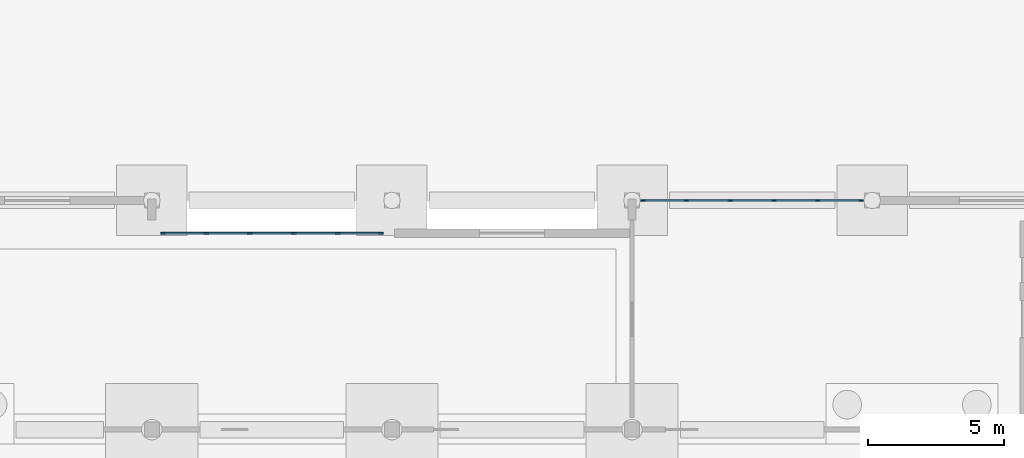
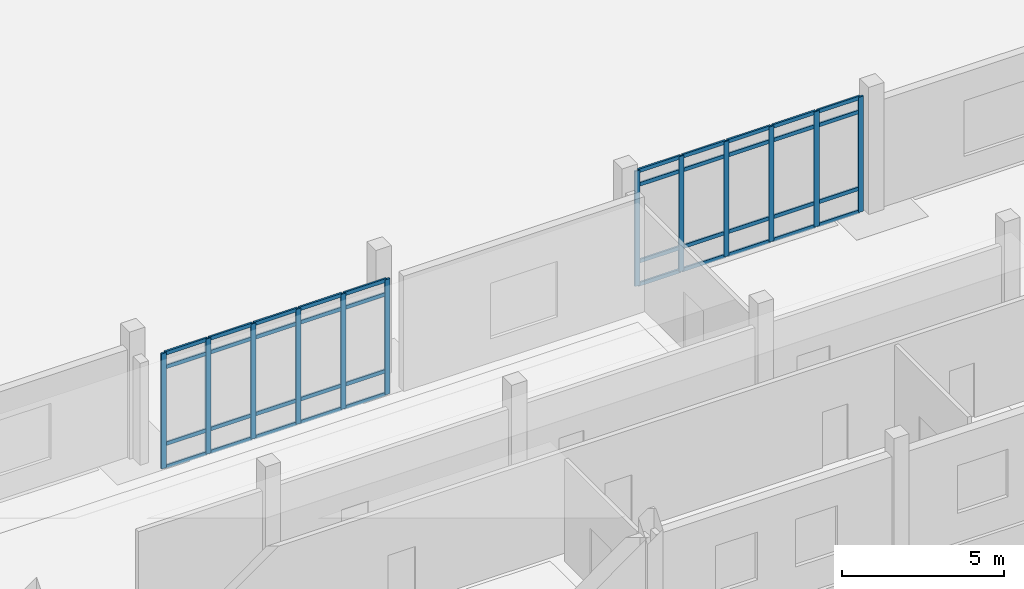
# One storey, part 13 of 72: 52 members, 2 elements without a shape of their own.
"""IFC4 building model written with IfcOpenShell, lengths in metres."""

from ifc_helpers import new_model, si_unit, direction, frame, origin, origin_2d, place, context, subcontext, project, spatial, rectangle, extrude, material, material_profile, profile_set, type_object, element, aggregate, save


model = new_model("IFC4")

# Units and contexts
model_context = context("Model", 3, precision=1e-05, world=origin(), true_north=direction((0.0, 1.0)))
body_context = subcontext(model_context, "Body", "Model", "MODEL_VIEW")
ifc_project = project(units=[si_unit("LENGTHUNIT", "METRE"), si_unit("AREAUNIT", "SQUARE_METRE"), si_unit("VOLUMEUNIT", "CUBIC_METRE"), si_unit("PLANEANGLEUNIT", "RADIAN"), si_unit("MASSUNIT", "GRAM", prefix="KILO")], contexts=[model_context])

# Site, building, storey
site_placement = place(None, origin())
site = spatial("IfcSite", under=ifc_project, at=site_placement, CompositionType="ELEMENT")
building_placement = place(site_placement, origin())
building = spatial("IfcBuilding", under=site, at=building_placement, Name="Cinderway Yard Community Centre", CompositionType="ELEMENT")
storey_placement = place(building_placement, origin())
storey = spatial("IfcBuildingStorey", under=building, at=storey_placement, Name="L00", CompositionType="ELEMENT", Elevation=0.0)

# Curtain wall, members
ifc_material = material(Name="Aluminium 6063-T6", Category="aluminium")
curtain_wall_type = type_object("IfcCurtainWallType", Name="ENV-CW-TYPE-25", PredefinedType="USERDEFINED", material=ifc_material)
curtain_wall_1_placement = place(storey_placement, origin())
curtain_wall_1 = element("IfcCurtainWall", 1, at=curtain_wall_1_placement, inside=storey, type_object=curtain_wall_type, Name="Dining Courtyard Curtain Wall ENV-CW-L00-HS-0091", ObjectType="GLAZED CURTAIN WALL", PredefinedType="USERDEFINED")
ifc_material_profile_1 = material_profile(ifc_material, rectangle(XDim=0.06494140625, YDim=0.179931640625, at=origin_2d()), Name="Aluminium 6063-T6")
ifc_profile_set_1 = profile_set([ifc_material_profile_1], Name="Aluminium 6063-T6")
member_type_1 = type_object("IfcMemberType", Name="ENV-CW-MULL-180", PredefinedType="MULLION", material=ifc_profile_set_1)
member_1_placement = place(storey_placement, frame((75.610107421875, 21.60009765625, 0.0), z_axis=(0.0, 0.0, 1.0), x_axis=(0.0, 1.0, 0.0)))
member_1 = element("IfcMember", 2, at=member_1_placement, type_object=member_type_1, Name="CW-25 mullion 1", PredefinedType="MULLION", context=body_context, shape_type="SweptSolid", body=[
    extrude(rectangle(XDim=0.06494140625, YDim=0.179931640625, at=origin_2d()), origin(), (0.0, 0.0, 1.0), 4.35009765625),
])
member_2_placement = place(storey_placement, frame((77.18798828125, 21.60009765625, 0.0), z_axis=(0.0, 0.0, 1.0), x_axis=(0.0, 1.0, 0.0)))
member_2 = element("IfcMember", 3, at=member_2_placement, type_object=member_type_1, Name="CW-25 mullion 2", PredefinedType="MULLION", context=body_context, shape_type="SweptSolid", body=[
    extrude(rectangle(XDim=0.06494140625, YDim=0.179931640625, at=origin_2d()), origin(), (0.0, 0.0, 1.0), 4.35009765625),
])
member_3_placement = place(storey_placement, frame((78.7958984375, 21.60009765625, 0.0), z_axis=(0.0, 0.0, 1.0), x_axis=(0.0, 1.0, 0.0)))
member_3 = element("IfcMember", 4, at=member_3_placement, type_object=member_type_1, Name="CW-25 mullion 3", PredefinedType="MULLION", context=body_context, shape_type="SweptSolid", body=[
    extrude(rectangle(XDim=0.06494140625, YDim=0.179931640625, at=origin_2d()), origin(), (0.0, 0.0, 1.0), 4.35009765625),
])
member_4_placement = place(storey_placement, frame((80.404052734375, 21.60009765625, 0.0), z_axis=(0.0, 0.0, 1.0), x_axis=(0.0, 1.0, 0.0)))
member_4 = element("IfcMember", 5, at=member_4_placement, type_object=member_type_1, Name="CW-25 mullion 4", PredefinedType="MULLION", context=body_context, shape_type="SweptSolid", body=[
    extrude(rectangle(XDim=0.06494140625, YDim=0.179931640625, at=origin_2d()), origin(), (0.0, 0.0, 1.0), 4.35009765625),
])
member_5_placement = place(storey_placement, frame((82.011962890625, 21.60009765625, 0.0), z_axis=(0.0, 0.0, 1.0), x_axis=(0.0, 1.0, 0.0)))
member_5 = element("IfcMember", 6, at=member_5_placement, type_object=member_type_1, Name="CW-25 mullion 5", PredefinedType="MULLION", context=body_context, shape_type="SweptSolid", body=[
    extrude(rectangle(XDim=0.06494140625, YDim=0.179931640625, at=origin_2d()), origin(), (0.0, 0.0, 1.0), 4.35009765625),
])
member_6_placement = place(storey_placement, frame((83.590087890625, 21.60009765625, 0.0), z_axis=(0.0, 0.0, 1.0), x_axis=(0.0, 1.0, 0.0)))
member_6 = element("IfcMember", 7, at=member_6_placement, type_object=member_type_1, Name="CW-25 mullion 6", PredefinedType="MULLION", context=body_context, shape_type="SweptSolid", body=[
    extrude(rectangle(XDim=0.06494140625, YDim=0.179931640625, at=origin_2d()), origin(), (0.0, 0.0, 1.0), 4.35009765625),
])

curtain_wall_2_placement = place(storey_placement, origin())
curtain_wall_2 = element("IfcCurtainWall", 8, at=curtain_wall_2_placement, inside=storey, type_object=curtain_wall_type, Name="Dining Courtyard Curtain Wall ENV-CW-L00-HS-0092", ObjectType="GLAZED CURTAIN WALL", PredefinedType="USERDEFINED")
member_7_placement = place(storey_placement, frame((93.2099609375, 22.800048828125, 0.0), z_axis=(0.0, 0.0, 1.0), x_axis=(0.0, 1.0, 0.0)))
member_7 = element("IfcMember", 9, at=member_7_placement, type_object=member_type_1, Name="CW-25 mullion 1", PredefinedType="MULLION", context=body_context, shape_type="SweptSolid", body=[
    extrude(rectangle(XDim=0.06494140625, YDim=0.179931640625, at=origin_2d()), origin(), (0.0, 0.0, 1.0), 4.35009765625),
])
member_8_placement = place(storey_placement, frame((94.7880859375, 22.800048828125, 0.0), z_axis=(0.0, 0.0, 1.0), x_axis=(0.0, 1.0, 0.0)))
member_8 = element("IfcMember", 10, at=member_8_placement, type_object=member_type_1, Name="CW-25 mullion 2", PredefinedType="MULLION", context=body_context, shape_type="SweptSolid", body=[
    extrude(rectangle(XDim=0.06494140625, YDim=0.179931640625, at=origin_2d()), origin(), (0.0, 0.0, 1.0), 4.35009765625),
])
member_9_placement = place(storey_placement, frame((96.39599609375, 22.800048828125, 0.0), z_axis=(0.0, 0.0, 1.0), x_axis=(0.0, 1.0, 0.0)))
member_9 = element("IfcMember", 11, at=member_9_placement, type_object=member_type_1, Name="CW-25 mullion 3", PredefinedType="MULLION", context=body_context, shape_type="SweptSolid", body=[
    extrude(rectangle(XDim=0.06494140625, YDim=0.179931640625, at=origin_2d()), origin(), (0.0, 0.0, 1.0), 4.35009765625),
])
member_10_placement = place(storey_placement, frame((98.00390625, 22.800048828125, 0.0), z_axis=(0.0, 0.0, 1.0), x_axis=(0.0, 1.0, 0.0)))
member_10 = element("IfcMember", 12, at=member_10_placement, type_object=member_type_1, Name="CW-25 mullion 4", PredefinedType="MULLION", context=body_context, shape_type="SweptSolid", body=[
    extrude(rectangle(XDim=0.06494140625, YDim=0.179931640625, at=origin_2d()), origin(), (0.0, 0.0, 1.0), 4.35009765625),
])
member_11_placement = place(storey_placement, frame((99.612060546875, 22.800048828125, 0.0), z_axis=(0.0, 0.0, 1.0), x_axis=(0.0, 1.0, 0.0)))
member_11 = element("IfcMember", 13, at=member_11_placement, type_object=member_type_1, Name="CW-25 mullion 5", PredefinedType="MULLION", context=body_context, shape_type="SweptSolid", body=[
    extrude(rectangle(XDim=0.06494140625, YDim=0.179931640625, at=origin_2d()), origin(), (0.0, 0.0, 1.0), 4.35009765625),
])
member_12_placement = place(storey_placement, frame((101.18994140625, 22.800048828125, 0.0), z_axis=(0.0, 0.0, 1.0), x_axis=(0.0, 1.0, 0.0)))
member_12 = element("IfcMember", 14, at=member_12_placement, type_object=member_type_1, Name="CW-25 mullion 6", PredefinedType="MULLION", context=body_context, shape_type="SweptSolid", body=[
    extrude(rectangle(XDim=0.06494140625, YDim=0.179931640625, at=origin_2d()), origin(), (0.0, 0.0, 1.0), 4.35009765625),
])

# Member
ifc_material_profile_2 = material_profile(ifc_material, rectangle(XDim=0.06494140625, YDim=0.139892578125, at=origin_2d()), Name="Aluminium 6063-T6")
ifc_profile_set_2 = profile_set([ifc_material_profile_2], Name="Aluminium 6063-T6")
member_type_2 = type_object("IfcMemberType", Name="ENV-CW-TRAN-140", PredefinedType="USERDEFINED", material=ifc_profile_set_2)
member_13_placement = place(storey_placement, frame((75.639892578125, 21.60009765625, 0.030029296875), z_axis=(1.0, 0.0, 0.0), x_axis=(0.0, 1.0, 0.0)))
member_13 = element("IfcMember", 15, at=member_13_placement, type_object=member_type_2, Name="CW-25 transom 1.1", ObjectType="TRANSOM", PredefinedType="USERDEFINED", context=body_context, shape_type="SweptSolid", body=[
    extrude(rectangle(XDim=0.06494140625, YDim=0.139892578125, at=origin_2d()), origin(), (0.0, 0.0, 1.0), 1.51806640625),
])

member_14_placement = place(storey_placement, frame((75.639892578125, 21.60009765625, 0.89990234375), z_axis=(1.0, 0.0, 0.0), x_axis=(0.0, 1.0, 0.0)))
member_14 = element("IfcMember", 16, at=member_14_placement, type_object=member_type_2, Name="CW-25 transom 1.2", ObjectType="TRANSOM", PredefinedType="USERDEFINED", context=body_context, shape_type="SweptSolid", body=[
    extrude(rectangle(XDim=0.06494140625, YDim=0.139892578125, at=origin_2d()), origin(), (0.0, 0.0, 1.0), 1.51806640625),
])

member_15_placement = place(storey_placement, frame((75.639892578125, 21.60009765625, 3.800048828125), z_axis=(1.0, 0.0, 0.0), x_axis=(0.0, 1.0, 0.0)))
member_15 = element("IfcMember", 17, at=member_15_placement, type_object=member_type_2, Name="CW-25 transom 1.3", ObjectType="TRANSOM", PredefinedType="USERDEFINED", context=body_context, shape_type="SweptSolid", body=[
    extrude(rectangle(XDim=0.06494140625, YDim=0.139892578125, at=origin_2d()), origin(), (0.0, 0.0, 1.0), 1.51806640625),
])

member_16_placement = place(storey_placement, frame((75.639892578125, 21.60009765625, 4.320068359375), z_axis=(1.0, 0.0, 0.0), x_axis=(0.0, 1.0, 0.0)))
member_16 = element("IfcMember", 18, at=member_16_placement, type_object=member_type_2, Name="CW-25 transom 1.4", ObjectType="TRANSOM", PredefinedType="USERDEFINED", context=body_context, shape_type="SweptSolid", body=[
    extrude(rectangle(XDim=0.06494140625, YDim=0.139892578125, at=origin_2d()), origin(), (0.0, 0.0, 1.0), 1.51806640625),
])

member_17_placement = place(storey_placement, frame((77.218017578125, 21.60009765625, 0.030029296875), z_axis=(1.0, 0.0, 0.0), x_axis=(0.0, 1.0, 0.0)))
member_17 = element("IfcMember", 19, at=member_17_placement, type_object=member_type_2, Name="CW-25 transom 2.1", ObjectType="TRANSOM", PredefinedType="USERDEFINED", context=body_context, shape_type="SweptSolid", body=[
    extrude(rectangle(XDim=0.06494140625, YDim=0.139892578125, at=origin_2d()), origin(), (0.0, 0.0, 1.0), 1.548095703125),
])

member_18_placement = place(storey_placement, frame((77.218017578125, 21.60009765625, 0.89990234375), z_axis=(1.0, 0.0, 0.0), x_axis=(0.0, 1.0, 0.0)))
member_18 = element("IfcMember", 20, at=member_18_placement, type_object=member_type_2, Name="CW-25 transom 2.2", ObjectType="TRANSOM", PredefinedType="USERDEFINED", context=body_context, shape_type="SweptSolid", body=[
    extrude(rectangle(XDim=0.06494140625, YDim=0.139892578125, at=origin_2d()), origin(), (0.0, 0.0, 1.0), 1.548095703125),
])

member_19_placement = place(storey_placement, frame((77.218017578125, 21.60009765625, 3.800048828125), z_axis=(1.0, 0.0, 0.0), x_axis=(0.0, 1.0, 0.0)))
member_19 = element("IfcMember", 21, at=member_19_placement, type_object=member_type_2, Name="CW-25 transom 2.3", ObjectType="TRANSOM", PredefinedType="USERDEFINED", context=body_context, shape_type="SweptSolid", body=[
    extrude(rectangle(XDim=0.06494140625, YDim=0.139892578125, at=origin_2d()), origin(), (0.0, 0.0, 1.0), 1.548095703125),
])

member_20_placement = place(storey_placement, frame((77.218017578125, 21.60009765625, 4.320068359375), z_axis=(1.0, 0.0, 0.0), x_axis=(0.0, 1.0, 0.0)))
member_20 = element("IfcMember", 22, at=member_20_placement, type_object=member_type_2, Name="CW-25 transom 2.4", ObjectType="TRANSOM", PredefinedType="USERDEFINED", context=body_context, shape_type="SweptSolid", body=[
    extrude(rectangle(XDim=0.06494140625, YDim=0.139892578125, at=origin_2d()), origin(), (0.0, 0.0, 1.0), 1.548095703125),
])

member_21_placement = place(storey_placement, frame((78.825927734375, 21.60009765625, 0.030029296875), z_axis=(1.0, 0.0, 0.0), x_axis=(0.0, 1.0, 0.0)))
member_21 = element("IfcMember", 23, at=member_21_placement, type_object=member_type_2, Name="CW-25 transom 3.1", ObjectType="TRANSOM", PredefinedType="USERDEFINED", context=body_context, shape_type="SweptSolid", body=[
    extrude(rectangle(XDim=0.06494140625, YDim=0.139892578125, at=origin_2d()), origin(), (0.0, 0.0, 1.0), 1.548095703125),
])

member_22_placement = place(storey_placement, frame((78.825927734375, 21.60009765625, 0.89990234375), z_axis=(1.0, 0.0, 0.0), x_axis=(0.0, 1.0, 0.0)))
member_22 = element("IfcMember", 24, at=member_22_placement, type_object=member_type_2, Name="CW-25 transom 3.2", ObjectType="TRANSOM", PredefinedType="USERDEFINED", context=body_context, shape_type="SweptSolid", body=[
    extrude(rectangle(XDim=0.06494140625, YDim=0.139892578125, at=origin_2d()), origin(), (0.0, 0.0, 1.0), 1.548095703125),
])

member_23_placement = place(storey_placement, frame((78.825927734375, 21.60009765625, 3.800048828125), z_axis=(1.0, 0.0, 0.0), x_axis=(0.0, 1.0, 0.0)))
member_23 = element("IfcMember", 25, at=member_23_placement, type_object=member_type_2, Name="CW-25 transom 3.3", ObjectType="TRANSOM", PredefinedType="USERDEFINED", context=body_context, shape_type="SweptSolid", body=[
    extrude(rectangle(XDim=0.06494140625, YDim=0.139892578125, at=origin_2d()), origin(), (0.0, 0.0, 1.0), 1.548095703125),
])

member_24_placement = place(storey_placement, frame((78.825927734375, 21.60009765625, 4.320068359375), z_axis=(1.0, 0.0, 0.0), x_axis=(0.0, 1.0, 0.0)))
member_24 = element("IfcMember", 26, at=member_24_placement, type_object=member_type_2, Name="CW-25 transom 3.4", ObjectType="TRANSOM", PredefinedType="USERDEFINED", context=body_context, shape_type="SweptSolid", body=[
    extrude(rectangle(XDim=0.06494140625, YDim=0.139892578125, at=origin_2d()), origin(), (0.0, 0.0, 1.0), 1.548095703125),
])

member_25_placement = place(storey_placement, frame((80.43408203125, 21.60009765625, 0.030029296875), z_axis=(1.0, 0.0, 0.0), x_axis=(0.0, 1.0, 0.0)))
member_25 = element("IfcMember", 27, at=member_25_placement, type_object=member_type_2, Name="CW-25 transom 4.1", ObjectType="TRANSOM", PredefinedType="USERDEFINED", context=body_context, shape_type="SweptSolid", body=[
    extrude(rectangle(XDim=0.06494140625, YDim=0.139892578125, at=origin_2d()), origin(), (0.0, 0.0, 1.0), 1.5478515625),
])

member_26_placement = place(storey_placement, frame((80.43408203125, 21.60009765625, 0.89990234375), z_axis=(1.0, 0.0, 0.0), x_axis=(0.0, 1.0, 0.0)))
member_26 = element("IfcMember", 28, at=member_26_placement, type_object=member_type_2, Name="CW-25 transom 4.2", ObjectType="TRANSOM", PredefinedType="USERDEFINED", context=body_context, shape_type="SweptSolid", body=[
    extrude(rectangle(XDim=0.06494140625, YDim=0.139892578125, at=origin_2d()), origin(), (0.0, 0.0, 1.0), 1.5478515625),
])

member_27_placement = place(storey_placement, frame((80.43408203125, 21.60009765625, 3.800048828125), z_axis=(1.0, 0.0, 0.0), x_axis=(0.0, 1.0, 0.0)))
member_27 = element("IfcMember", 29, at=member_27_placement, type_object=member_type_2, Name="CW-25 transom 4.3", ObjectType="TRANSOM", PredefinedType="USERDEFINED", context=body_context, shape_type="SweptSolid", body=[
    extrude(rectangle(XDim=0.06494140625, YDim=0.139892578125, at=origin_2d()), origin(), (0.0, 0.0, 1.0), 1.5478515625),
])

member_28_placement = place(storey_placement, frame((80.43408203125, 21.60009765625, 4.320068359375), z_axis=(1.0, 0.0, 0.0), x_axis=(0.0, 1.0, 0.0)))
member_28 = element("IfcMember", 30, at=member_28_placement, type_object=member_type_2, Name="CW-25 transom 4.4", ObjectType="TRANSOM", PredefinedType="USERDEFINED", context=body_context, shape_type="SweptSolid", body=[
    extrude(rectangle(XDim=0.06494140625, YDim=0.139892578125, at=origin_2d()), origin(), (0.0, 0.0, 1.0), 1.5478515625),
])

member_29_placement = place(storey_placement, frame((82.0419921875, 21.60009765625, 0.030029296875), z_axis=(1.0, 0.0, 0.0), x_axis=(0.0, 1.0, 0.0)))
member_29 = element("IfcMember", 31, at=member_29_placement, type_object=member_type_2, Name="CW-25 transom 5.1", ObjectType="TRANSOM", PredefinedType="USERDEFINED", context=body_context, shape_type="SweptSolid", body=[
    extrude(rectangle(XDim=0.06494140625, YDim=0.139892578125, at=origin_2d()), origin(), (0.0, 0.0, 1.0), 1.51806640625),
])

member_30_placement = place(storey_placement, frame((82.0419921875, 21.60009765625, 0.89990234375), z_axis=(1.0, 0.0, 0.0), x_axis=(0.0, 1.0, 0.0)))
member_30 = element("IfcMember", 32, at=member_30_placement, type_object=member_type_2, Name="CW-25 transom 5.2", ObjectType="TRANSOM", PredefinedType="USERDEFINED", context=body_context, shape_type="SweptSolid", body=[
    extrude(rectangle(XDim=0.06494140625, YDim=0.139892578125, at=origin_2d()), origin(), (0.0, 0.0, 1.0), 1.51806640625),
])

member_31_placement = place(storey_placement, frame((82.0419921875, 21.60009765625, 3.800048828125), z_axis=(1.0, 0.0, 0.0), x_axis=(0.0, 1.0, 0.0)))
member_31 = element("IfcMember", 33, at=member_31_placement, type_object=member_type_2, Name="CW-25 transom 5.3", ObjectType="TRANSOM", PredefinedType="USERDEFINED", context=body_context, shape_type="SweptSolid", body=[
    extrude(rectangle(XDim=0.06494140625, YDim=0.139892578125, at=origin_2d()), origin(), (0.0, 0.0, 1.0), 1.51806640625),
])

member_32_placement = place(storey_placement, frame((82.0419921875, 21.60009765625, 4.320068359375), z_axis=(1.0, 0.0, 0.0), x_axis=(0.0, 1.0, 0.0)))
member_32 = element("IfcMember", 34, at=member_32_placement, type_object=member_type_2, Name="CW-25 transom 5.4", ObjectType="TRANSOM", PredefinedType="USERDEFINED", context=body_context, shape_type="SweptSolid", body=[
    extrude(rectangle(XDim=0.06494140625, YDim=0.139892578125, at=origin_2d()), origin(), (0.0, 0.0, 1.0), 1.51806640625),
])

aggregate(curtain_wall_1, [member_1, member_2, member_3, member_4, member_5, member_6, member_13, member_14, member_15, member_16, member_17, member_18, member_19, member_20, member_21, member_22, member_23, member_24, member_25, member_26, member_27, member_28, member_29, member_30, member_31, member_32])

member_33_placement = place(storey_placement, frame((93.239990234375, 22.800048828125, 0.030029296875), z_axis=(1.0, 0.0, 0.0), x_axis=(0.0, 1.0, 0.0)))
member_33 = element("IfcMember", 35, at=member_33_placement, type_object=member_type_2, Name="CW-25 transom 1.1", ObjectType="TRANSOM", PredefinedType="USERDEFINED", context=body_context, shape_type="SweptSolid", body=[
    extrude(rectangle(XDim=0.06494140625, YDim=0.139892578125, at=origin_2d()), origin(), (0.0, 0.0, 1.0), 1.51806640625),
])

member_34_placement = place(storey_placement, frame((93.239990234375, 22.800048828125, 0.89990234375), z_axis=(1.0, 0.0, 0.0), x_axis=(0.0, 1.0, 0.0)))
member_34 = element("IfcMember", 36, at=member_34_placement, type_object=member_type_2, Name="CW-25 transom 1.2", ObjectType="TRANSOM", PredefinedType="USERDEFINED", context=body_context, shape_type="SweptSolid", body=[
    extrude(rectangle(XDim=0.06494140625, YDim=0.139892578125, at=origin_2d()), origin(), (0.0, 0.0, 1.0), 1.51806640625),
])

member_35_placement = place(storey_placement, frame((93.239990234375, 22.800048828125, 3.800048828125), z_axis=(1.0, 0.0, 0.0), x_axis=(0.0, 1.0, 0.0)))
member_35 = element("IfcMember", 37, at=member_35_placement, type_object=member_type_2, Name="CW-25 transom 1.3", ObjectType="TRANSOM", PredefinedType="USERDEFINED", context=body_context, shape_type="SweptSolid", body=[
    extrude(rectangle(XDim=0.06494140625, YDim=0.139892578125, at=origin_2d()), origin(), (0.0, 0.0, 1.0), 1.51806640625),
])

member_36_placement = place(storey_placement, frame((93.239990234375, 22.800048828125, 4.320068359375), z_axis=(1.0, 0.0, 0.0), x_axis=(0.0, 1.0, 0.0)))
member_36 = element("IfcMember", 38, at=member_36_placement, type_object=member_type_2, Name="CW-25 transom 1.4", ObjectType="TRANSOM", PredefinedType="USERDEFINED", context=body_context, shape_type="SweptSolid", body=[
    extrude(rectangle(XDim=0.06494140625, YDim=0.139892578125, at=origin_2d()), origin(), (0.0, 0.0, 1.0), 1.51806640625),
])

member_37_placement = place(storey_placement, frame((94.818115234375, 22.800048828125, 0.030029296875), z_axis=(1.0, 0.0, 0.0), x_axis=(0.0, 1.0, 0.0)))
member_37 = element("IfcMember", 39, at=member_37_placement, type_object=member_type_2, Name="CW-25 transom 2.1", ObjectType="TRANSOM", PredefinedType="USERDEFINED", context=body_context, shape_type="SweptSolid", body=[
    extrude(rectangle(XDim=0.06494140625, YDim=0.139892578125, at=origin_2d()), origin(), (0.0, 0.0, 1.0), 1.5478515625),
])

member_38_placement = place(storey_placement, frame((94.818115234375, 22.800048828125, 0.89990234375), z_axis=(1.0, 0.0, 0.0), x_axis=(0.0, 1.0, 0.0)))
member_38 = element("IfcMember", 40, at=member_38_placement, type_object=member_type_2, Name="CW-25 transom 2.2", ObjectType="TRANSOM", PredefinedType="USERDEFINED", context=body_context, shape_type="SweptSolid", body=[
    extrude(rectangle(XDim=0.06494140625, YDim=0.139892578125, at=origin_2d()), origin(), (0.0, 0.0, 1.0), 1.5478515625),
])

member_39_placement = place(storey_placement, frame((94.818115234375, 22.800048828125, 3.800048828125), z_axis=(1.0, 0.0, 0.0), x_axis=(0.0, 1.0, 0.0)))
member_39 = element("IfcMember", 41, at=member_39_placement, type_object=member_type_2, Name="CW-25 transom 2.3", ObjectType="TRANSOM", PredefinedType="USERDEFINED", context=body_context, shape_type="SweptSolid", body=[
    extrude(rectangle(XDim=0.06494140625, YDim=0.139892578125, at=origin_2d()), origin(), (0.0, 0.0, 1.0), 1.5478515625),
])

member_40_placement = place(storey_placement, frame((94.818115234375, 22.800048828125, 4.320068359375), z_axis=(1.0, 0.0, 0.0), x_axis=(0.0, 1.0, 0.0)))
member_40 = element("IfcMember", 42, at=member_40_placement, type_object=member_type_2, Name="CW-25 transom 2.4", ObjectType="TRANSOM", PredefinedType="USERDEFINED", context=body_context, shape_type="SweptSolid", body=[
    extrude(rectangle(XDim=0.06494140625, YDim=0.139892578125, at=origin_2d()), origin(), (0.0, 0.0, 1.0), 1.5478515625),
])

member_41_placement = place(storey_placement, frame((96.426025390625, 22.800048828125, 0.030029296875), z_axis=(1.0, 0.0, 0.0), x_axis=(0.0, 1.0, 0.0)))
member_41 = element("IfcMember", 43, at=member_41_placement, type_object=member_type_2, Name="CW-25 transom 3.1", ObjectType="TRANSOM", PredefinedType="USERDEFINED", context=body_context, shape_type="SweptSolid", body=[
    extrude(rectangle(XDim=0.06494140625, YDim=0.139892578125, at=origin_2d()), origin(), (0.0, 0.0, 1.0), 1.548095703125),
])

member_42_placement = place(storey_placement, frame((96.426025390625, 22.800048828125, 0.89990234375), z_axis=(1.0, 0.0, 0.0), x_axis=(0.0, 1.0, 0.0)))
member_42 = element("IfcMember", 44, at=member_42_placement, type_object=member_type_2, Name="CW-25 transom 3.2", ObjectType="TRANSOM", PredefinedType="USERDEFINED", context=body_context, shape_type="SweptSolid", body=[
    extrude(rectangle(XDim=0.06494140625, YDim=0.139892578125, at=origin_2d()), origin(), (0.0, 0.0, 1.0), 1.548095703125),
])

member_43_placement = place(storey_placement, frame((96.426025390625, 22.800048828125, 3.800048828125), z_axis=(1.0, 0.0, 0.0), x_axis=(0.0, 1.0, 0.0)))
member_43 = element("IfcMember", 45, at=member_43_placement, type_object=member_type_2, Name="CW-25 transom 3.3", ObjectType="TRANSOM", PredefinedType="USERDEFINED", context=body_context, shape_type="SweptSolid", body=[
    extrude(rectangle(XDim=0.06494140625, YDim=0.139892578125, at=origin_2d()), origin(), (0.0, 0.0, 1.0), 1.548095703125),
])

member_44_placement = place(storey_placement, frame((96.426025390625, 22.800048828125, 4.320068359375), z_axis=(1.0, 0.0, 0.0), x_axis=(0.0, 1.0, 0.0)))
member_44 = element("IfcMember", 46, at=member_44_placement, type_object=member_type_2, Name="CW-25 transom 3.4", ObjectType="TRANSOM", PredefinedType="USERDEFINED", context=body_context, shape_type="SweptSolid", body=[
    extrude(rectangle(XDim=0.06494140625, YDim=0.139892578125, at=origin_2d()), origin(), (0.0, 0.0, 1.0), 1.548095703125),
])

member_45_placement = place(storey_placement, frame((98.033935546875, 22.800048828125, 0.030029296875), z_axis=(1.0, 0.0, 0.0), x_axis=(0.0, 1.0, 0.0)))
member_45 = element("IfcMember", 47, at=member_45_placement, type_object=member_type_2, Name="CW-25 transom 4.1", ObjectType="TRANSOM", PredefinedType="USERDEFINED", context=body_context, shape_type="SweptSolid", body=[
    extrude(rectangle(XDim=0.06494140625, YDim=0.139892578125, at=origin_2d()), origin(), (0.0, 0.0, 1.0), 1.548095703125),
])

member_46_placement = place(storey_placement, frame((98.033935546875, 22.800048828125, 0.89990234375), z_axis=(1.0, 0.0, 0.0), x_axis=(0.0, 1.0, 0.0)))
member_46 = element("IfcMember", 48, at=member_46_placement, type_object=member_type_2, Name="CW-25 transom 4.2", ObjectType="TRANSOM", PredefinedType="USERDEFINED", context=body_context, shape_type="SweptSolid", body=[
    extrude(rectangle(XDim=0.06494140625, YDim=0.139892578125, at=origin_2d()), origin(), (0.0, 0.0, 1.0), 1.548095703125),
])

member_47_placement = place(storey_placement, frame((98.033935546875, 22.800048828125, 3.800048828125), z_axis=(1.0, 0.0, 0.0), x_axis=(0.0, 1.0, 0.0)))
member_47 = element("IfcMember", 49, at=member_47_placement, type_object=member_type_2, Name="CW-25 transom 4.3", ObjectType="TRANSOM", PredefinedType="USERDEFINED", context=body_context, shape_type="SweptSolid", body=[
    extrude(rectangle(XDim=0.06494140625, YDim=0.139892578125, at=origin_2d()), origin(), (0.0, 0.0, 1.0), 1.548095703125),
])

member_48_placement = place(storey_placement, frame((98.033935546875, 22.800048828125, 4.320068359375), z_axis=(1.0, 0.0, 0.0), x_axis=(0.0, 1.0, 0.0)))
member_48 = element("IfcMember", 50, at=member_48_placement, type_object=member_type_2, Name="CW-25 transom 4.4", ObjectType="TRANSOM", PredefinedType="USERDEFINED", context=body_context, shape_type="SweptSolid", body=[
    extrude(rectangle(XDim=0.06494140625, YDim=0.139892578125, at=origin_2d()), origin(), (0.0, 0.0, 1.0), 1.548095703125),
])

member_49_placement = place(storey_placement, frame((99.64208984375, 22.800048828125, 0.030029296875), z_axis=(1.0, 0.0, 0.0), x_axis=(0.0, 1.0, 0.0)))
member_49 = element("IfcMember", 51, at=member_49_placement, type_object=member_type_2, Name="CW-25 transom 5.1", ObjectType="TRANSOM", PredefinedType="USERDEFINED", context=body_context, shape_type="SweptSolid", body=[
    extrude(rectangle(XDim=0.06494140625, YDim=0.139892578125, at=origin_2d()), origin(), (0.0, 0.0, 1.0), 1.517822265625),
])

member_50_placement = place(storey_placement, frame((99.64208984375, 22.800048828125, 0.89990234375), z_axis=(1.0, 0.0, 0.0), x_axis=(0.0, 1.0, 0.0)))
member_50 = element("IfcMember", 52, at=member_50_placement, type_object=member_type_2, Name="CW-25 transom 5.2", ObjectType="TRANSOM", PredefinedType="USERDEFINED", context=body_context, shape_type="SweptSolid", body=[
    extrude(rectangle(XDim=0.06494140625, YDim=0.139892578125, at=origin_2d()), origin(), (0.0, 0.0, 1.0), 1.517822265625),
])

member_51_placement = place(storey_placement, frame((99.64208984375, 22.800048828125, 3.800048828125), z_axis=(1.0, 0.0, 0.0), x_axis=(0.0, 1.0, 0.0)))
member_51 = element("IfcMember", 53, at=member_51_placement, type_object=member_type_2, Name="CW-25 transom 5.3", ObjectType="TRANSOM", PredefinedType="USERDEFINED", context=body_context, shape_type="SweptSolid", body=[
    extrude(rectangle(XDim=0.06494140625, YDim=0.139892578125, at=origin_2d()), origin(), (0.0, 0.0, 1.0), 1.517822265625),
])

member_52_placement = place(storey_placement, frame((99.64208984375, 22.800048828125, 4.320068359375), z_axis=(1.0, 0.0, 0.0), x_axis=(0.0, 1.0, 0.0)))
member_52 = element("IfcMember", 54, at=member_52_placement, type_object=member_type_2, Name="CW-25 transom 5.4", ObjectType="TRANSOM", PredefinedType="USERDEFINED", context=body_context, shape_type="SweptSolid", body=[
    extrude(rectangle(XDim=0.06494140625, YDim=0.139892578125, at=origin_2d()), origin(), (0.0, 0.0, 1.0), 1.517822265625),
])

aggregate(curtain_wall_2, [member_7, member_8, member_9, member_10, member_11, member_12, member_33, member_34, member_35, member_36, member_37, member_38, member_39, member_40, member_41, member_42, member_43, member_44, member_45, member_46, member_47, member_48, member_49, member_50, member_51, member_52])

save(model, "model.ifc")
